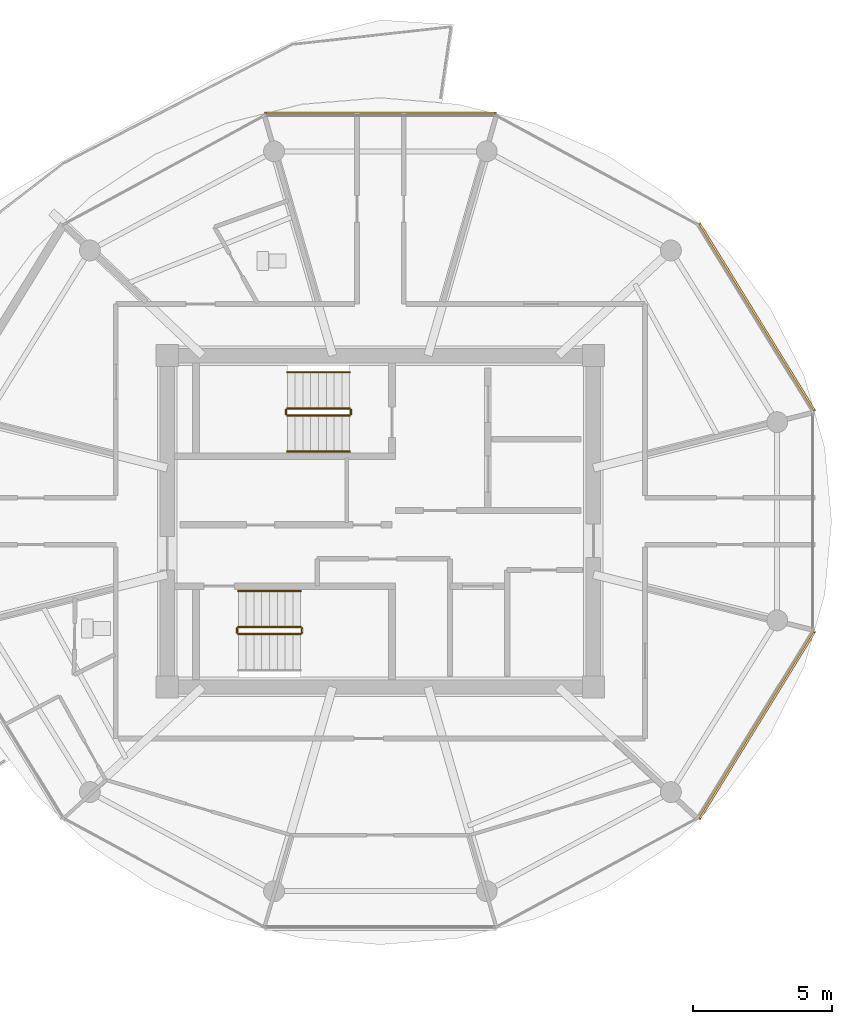
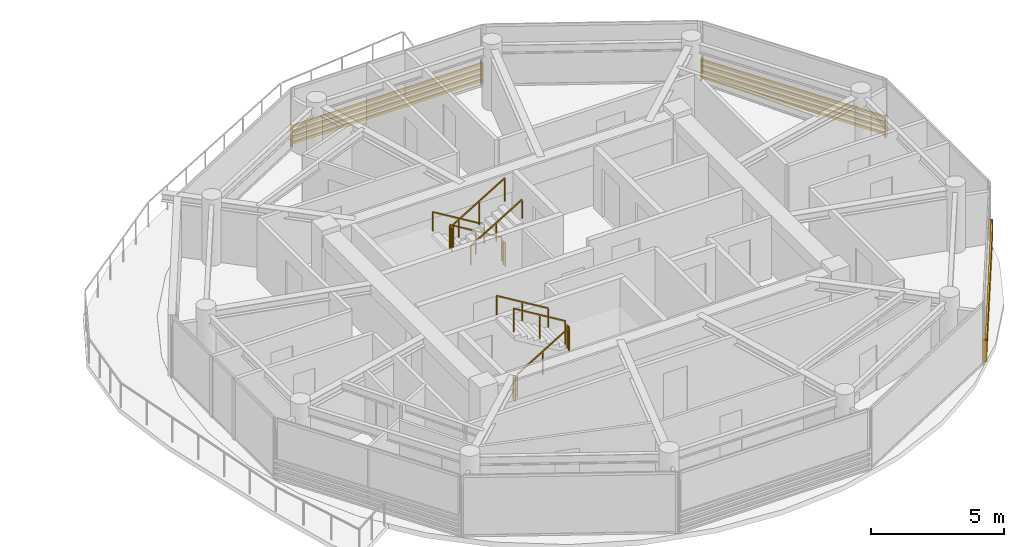
# One storey, part 18 of 19: 11 railings, 3 shading devices.
"""IFC4 building model written with IfcOpenShell, lengths in metres."""

import ifcopenshell
import ifcopenshell.guid

model = None  # the IFC model being written
_history = None  # IfcOwnerHistory: only IFC2X3 demands one
_inside = {}  # id of a spatial element -> (the spatial element, [elements in it])
_under = {}  # id of a project, library or spatial element -> (it, [spatial elements below it])
_declared = {}  # id of a project -> (the project, [libraries it declares])
_typed = {}  # id of a type object -> (the type object, [elements of that type])
_made_of = {}  # id of a material, layer set ... -> (it, [elements and type objects made of it])


def new_model(schema):
    """Start an empty IFC model of exactly this schema.

    Asked for "IFC4X3", IfcOpenShell would pick the latest addendum, in which some entities
    have other attributes; the version numbers below select the first issue.
    IFC2X3 requires an IfcOwnerHistory on every rooted entity: one is made here for all.
    """
    global model, _history
    if schema == "IFC4X3":
        model = ifcopenshell.file(schema_version=(4, 3, 0, 0))
    else:
        model = ifcopenshell.file(schema=schema)
    _inside.clear()
    _under.clear()
    _declared.clear()
    _typed.clear()
    _made_of.clear()
    _history = None
    if model.schema == "IFC2X3":
        org = make("IfcOrganization", Name="unknown")
        user = make(
            "IfcPersonAndOrganization",
            ThePerson=make("IfcPerson", FamilyName="unknown"),
            TheOrganization=org,
        )
        app = make(
            "IfcApplication",
            ApplicationDeveloper=org,
            Version="unknown",
            ApplicationFullName="unknown",
            ApplicationIdentifier="unknown",
        )
        _history = make(
            "IfcOwnerHistory",
            OwningUser=user,
            OwningApplication=app,
            ChangeAction="ADDED",
            CreationDate=0,
        )
    return model


def make(cls, **values):
    """One entity of the class cls with the attributes given. An attribute that is None is left unset."""
    return model.create_entity(
        cls, **{name: value for name, value in values.items() if value is not None}
    )


def rooted(cls, **values):
    """An entity with a GlobalId (a new one), such as an element, a storey or a relation."""
    return make(cls, GlobalId=ifcopenshell.guid.new(), OwnerHistory=_history, **values)


def si_unit(unit_type, name, prefix=None):
    """IfcSIUnit, for example si_unit("LENGTHUNIT", "METRE", prefix="MILLI")."""
    return make("IfcSIUnit", UnitType=unit_type, Prefix=prefix, Name=name)


def assignment(units):
    """IfcUnitAssignment: the units of a project."""
    return None if units is None else make("IfcUnitAssignment", Units=units)


def point(xyz):
    """IfcCartesianPoint."""
    return None if xyz is None else make("IfcCartesianPoint", Coordinates=xyz)


def direction(xyz):
    """IfcDirection."""
    return None if xyz is None else make("IfcDirection", DirectionRatios=xyz)


def frame(location, z_axis=None, x_axis=None):
    """IfcAxis2Placement3D, a coordinate frame: its origin and axes. An axis left out is left unset."""
    return make(
        "IfcAxis2Placement3D",
        Location=point(location),
        Axis=direction(z_axis),
        RefDirection=direction(x_axis),
    )


def frame_2d(location, x_axis=None):
    """IfcAxis2Placement2D, a coordinate frame in the plane: its origin and x axis."""
    return make(
        "IfcAxis2Placement2D", Location=point(location), RefDirection=direction(x_axis)
    )


def origin():
    """The frame at (0, 0, 0) with its axes left unset."""
    return frame((0.0, 0.0, 0.0))


def origin_2d():
    """The frame at (0, 0) in the plane with its x axis left unset."""
    return frame_2d((0.0, 0.0))


def place(relative_to, where):
    """IfcLocalPlacement: puts the frame where relative to a parent placement (None: the world)."""
    return make(
        "IfcLocalPlacement", PlacementRelTo=relative_to, RelativePlacement=where
    )


def context(
    kind, dimensions, precision=None, world=None, true_north=None, identifier=None
):
    """IfcGeometricRepresentationContext, for example the 3D "Model" context."""
    return make(
        "IfcGeometricRepresentationContext",
        ContextIdentifier=identifier,
        ContextType=kind,
        CoordinateSpaceDimension=dimensions,
        Precision=precision,
        WorldCoordinateSystem=world,
        TrueNorth=true_north,
    )


def subcontext(parent, identifier, kind, view, scale=None):
    """IfcGeometricRepresentationSubContext, for example "Body" below "Model"."""
    return make(
        "IfcGeometricRepresentationSubContext",
        ContextIdentifier=identifier,
        ContextType=kind,
        ParentContext=parent,
        TargetScale=scale,
        TargetView=view,
    )


def project(units=None, contexts=None):
    """IfcProject with its units and contexts."""
    return rooted(
        "IfcProject",
        Name="project",
        RepresentationContexts=contexts,
        UnitsInContext=assignment(units),
    )


def spatial(cls, under=None, at=None, **own):
    """A site, building, storey or space (cls), placed at a placement, below another one or the project."""
    s = rooted(cls, ObjectPlacement=at, **own)
    if under is not None:
        _under.setdefault(under.id(), (under, []))[1].append(s)
    return s


def profile(cls, at=None, kind="AREA", **sizes):
    """A parametric profile (cls). Its sizes go by their IFC names, for example OverallWidth=200.0."""
    return make(cls, ProfileType=kind, Position=at, **sizes)


def rectangle(**sizes):
    """IfcRectangleProfileDef."""
    return profile("IfcRectangleProfileDef", **sizes)


def extrude(swept, where, along, depth):
    """IfcExtrudedAreaSolid: the profile swept, set in the frame where, extruded along a direction by depth."""
    return make(
        "IfcExtrudedAreaSolid",
        SweptArea=swept,
        Position=where,
        ExtrudedDirection=direction(along),
        Depth=depth,
    )


def shape(context_of_items, identifier, shape_type, items):
    """IfcShapeRepresentation: the items that make up one representation, for example the "Body"."""
    return make(
        "IfcShapeRepresentation",
        ContextOfItems=context_of_items,
        RepresentationIdentifier=identifier,
        RepresentationType=shape_type,
        Items=items,
    )


def source(mapping_origin, context_of_items, identifier, shape_type, items):
    """IfcRepresentationMap: a shape defined once, which mapped items show again and again."""
    return make(
        "IfcRepresentationMap",
        MappingOrigin=mapping_origin,
        MappedRepresentation=shape(context_of_items, identifier, shape_type, items),
    )


def transform(
    local_origin,
    x_axis=None,
    y_axis=None,
    z_axis=None,
    scale=None,
    scale2=None,
    scale3=None,
    uniform=True,
):
    """IfcCartesianTransformationOperator3D, or its non-uniform kind. x_axis, y_axis, z_axis: its Axis1, 2, 3."""
    if uniform:
        return make(
            "IfcCartesianTransformationOperator3D",
            Axis1=direction(x_axis),
            Axis2=direction(y_axis),
            LocalOrigin=point(local_origin),
            Scale=scale,
            Axis3=direction(z_axis),
        )
    return make(
        "IfcCartesianTransformationOperator3DnonUniform",
        Axis1=direction(x_axis),
        Axis2=direction(y_axis),
        LocalOrigin=point(local_origin),
        Scale=scale,
        Axis3=direction(z_axis),
        Scale2=scale2,
        Scale3=scale3,
    )


def mapped(mapping_source, mapping_target):
    """IfcMappedItem: shows the shape of a source again, moved by a transform."""
    return make(
        "IfcMappedItem", MappingSource=mapping_source, MappingTarget=mapping_target
    )


def material(Name=None, Category=None):
    """IfcMaterial."""
    return make("IfcMaterial", Name=Name, Category=Category)


def made_of(thing, what):
    """Note that an element or type object is made of a material, layer set ...; save() writes the relation."""
    if what is not None:
        _made_of.setdefault(what.id(), (what, []))[1].append(thing)
    return thing


def type_object(cls, material=None, **own):
    """A type object (cls), such as IfcWallType, which elements share."""
    return made_of(rooted(cls, **own), material)


def type_shapes(of_type, sources):
    """Give a type object the sources (RepresentationMaps) that its elements show as mapped items."""
    of_type.RepresentationMaps = sources


def element(
    cls,
    number,
    at=None,
    inside=None,
    cuts=None,
    type_object=None,
    material=None,
    context=None,
    identifier="Body",
    shape_type=None,
    held_by="IfcProductDefinitionShape",
    body=None,
    shapes=None,
    **own,
):
    """One element of the class cls, such as IfcWall. Its Tag is "e" and its number.

    at: its placement. inside: the storey or other place that contains it. cuts: it is an
    opening in that element (IfcRelVoidsElement). A single representation is given by context,
    identifier, shape_type and body (its items); several are given by shapes. held_by: the class
    of the entity that holds the representations. save() writes the other relations.
    """
    e = rooted(cls, Tag="e%d" % number, ObjectPlacement=at, **own)
    if body is not None:
        shapes = [shape(context, identifier, shape_type, body)]
    if shapes is not None:
        e.Representation = make(held_by, Representations=shapes)
    if inside is not None:
        _inside.setdefault(inside.id(), (inside, []))[1].append(e)
    if cuts is not None:
        rooted(
            "IfcRelVoidsElement", RelatingBuildingElement=cuts, RelatedOpeningElement=e
        )
    if type_object is not None:
        _typed.setdefault(type_object.id(), (type_object, []))[1].append(e)
    return made_of(e, material)


def aggregate(whole, parts):
    """IfcRelAggregates: a whole, such as a stair, and the parts it consists of."""
    return rooted("IfcRelAggregates", RelatingObject=whole, RelatedObjects=parts)


def save(model, path):
    """Write the relations noted so far, then the file.

    IfcRelAggregates (storeys below a building ...), IfcRelContainedInSpatialStructure (elements
    in a storey), IfcRelDefinesByType, IfcRelAssociatesMaterial and IfcRelDeclares: one each for
    every whole, place, type object, material and project.
    """
    for whole, parts in _under.values():
        aggregate(whole, parts)
    for where, things in _inside.values():
        rooted(
            "IfcRelContainedInSpatialStructure",
            RelatedElements=things,
            RelatingStructure=where,
        )
    for kind, things in _typed.values():
        rooted("IfcRelDefinesByType", RelatedObjects=things, RelatingType=kind)
    for what, things in _made_of.values():
        rooted("IfcRelAssociatesMaterial", RelatedObjects=things, RelatingMaterial=what)
    for by, libraries in _declared.values():
        rooted("IfcRelDeclares", RelatingContext=by, RelatedDefinitions=libraries)
    model.write(path)


model = new_model("IFC4")

# Units and contexts
model_context = context("Model", 3, precision=1e-05, world=origin(), true_north=direction((0.0, 1.0)))
body_context = subcontext(model_context, "Body", "Model", "MODEL_VIEW")
ifc_project = project(units=[si_unit("LENGTHUNIT", "METRE"), si_unit("AREAUNIT", "SQUARE_METRE"), si_unit("VOLUMEUNIT", "CUBIC_METRE"), si_unit("PLANEANGLEUNIT", "RADIAN"), si_unit("MASSUNIT", "GRAM", prefix="KILO")], contexts=[model_context])

# Site, building, storey
site_placement = place(None, origin())
site = spatial("IfcSite", under=ifc_project, at=site_placement, CompositionType="ELEMENT")
building_placement = place(site_placement, origin())
building = spatial("IfcBuilding", under=site, at=building_placement, Name="Norrkilde Senior Care Towers", CompositionType="ELEMENT")
storey_placement = place(building_placement, frame((0.0, 0.0, 193.699951171875)))
storey = spatial("IfcBuildingStorey", under=building, at=storey_placement, Name="L60", CompositionType="ELEMENT", Elevation=193.699951171875)

# Railings
ifc_material_1 = material(Name="Stainless Steel", Category="steel")
railing_type_1 = type_object("IfcRailingType", Name="Stair and Terrace Guardrail 1100", PredefinedType="GUARDRAIL", material=ifc_material_1)
railing_1_placement = place(storey_placement, frame((26.89990234375, 4.050048828125, 0.16943359375)))
element("IfcRailing", 1, at=railing_1_placement, inside=storey, type_object=railing_type_1, Name="L60 ST-E1 stair guard 1", PredefinedType="GUARDRAIL", context=body_context, shape_type="SweptSolid", body=[
    extrude(rectangle(XDim=0.048095703125, YDim=0.048095703125, at=origin_2d()), frame((0.0, 0.0, 1.076171875), z_axis=(-0.855512035549, 0.0, 0.517782924622), x_axis=(0.0, -1.0, 0.0)), (0.0, 0.0, 1.0), 2.618408203125),
    extrude(rectangle(XDim=0.0419921875, YDim=0.0419921875, at=origin_2d()), origin(), (0.0, 0.0, 1.0), 1.050048828125),
    extrude(rectangle(XDim=0.0419921875, YDim=0.0419921875, at=origin_2d()), frame((-1.1201171875, 0.0, 0.677734375)), (0.0, 0.0, 1.0), 1.050048828125),
    extrude(rectangle(XDim=0.0419921875, YDim=0.0419921875, at=origin_2d()), frame((-2.239990234375, 0.0, 1.355712890625)), (0.0, 0.0, 1.0), 1.050048828125),
])
railing_2_placement = place(storey_placement, frame((24.610107421875, 4.0, 1.525146484375)))
element("IfcRailing", 2, at=railing_2_placement, inside=storey, type_object=railing_type_1, Name="L60 ST-E1 stair guard 2", PredefinedType="GUARDRAIL", context=body_context, shape_type="SweptSolid", body=[
    extrude(rectangle(XDim=0.048095703125, YDim=0.048095703125, at=origin_2d()), frame((0.0, 0.0, 1.076171875), z_axis=(0.0, -1.0, 0.0), x_axis=(1.0, 0.0, 0.0)), (0.0, 0.0, 1.0), 0.14990234375),
    extrude(rectangle(XDim=0.0419921875, YDim=0.0419921875, at=origin_2d()), origin(), (0.0, 0.0, 1.0), 1.050048828125),
    extrude(rectangle(XDim=0.0419921875, YDim=0.0419921875, at=origin_2d()), frame((0.0, -0.14990234375, 0.0)), (0.0, 0.0, 1.0), 1.050048828125),
])
railing_3_placement = place(storey_placement, frame((24.659912109375, 3.800048828125, 1.694580078125)))
element("IfcRailing", 3, at=railing_3_placement, inside=storey, type_object=railing_type_1, Name="L60 ST-E1 stair guard 3", PredefinedType="GUARDRAIL", context=body_context, shape_type="SweptSolid", body=[
    extrude(rectangle(XDim=0.048095703125, YDim=0.048095703125, at=origin_2d()), frame((0.0, 0.0, 1.076171875), z_axis=(0.855553338991, 0.0, 0.51771467445), x_axis=(0.0, 1.0, 0.0)), (0.0, 0.0, 1.0), 2.6181640625),
    extrude(rectangle(XDim=0.0419921875, YDim=0.0419921875, at=origin_2d()), origin(), (0.0, 0.0, 1.0), 1.050048828125),
    extrude(rectangle(XDim=0.0419921875, YDim=0.0419921875, at=origin_2d()), frame((1.1201171875, 0.0, 0.677734375)), (0.0, 0.0, 1.0), 1.050048828125),
    extrude(rectangle(XDim=0.0419921875, YDim=0.0419921875, at=origin_2d()), frame((2.239990234375, 0.0, 1.35546875)), (0.0, 0.0, 1.0), 1.050048828125),
])
railing_4_placement = place(storey_placement, frame((26.949951171875, 4.0, 0.0)))
element("IfcRailing", 4, at=railing_4_placement, inside=storey, type_object=railing_type_1, Name="L60 ST-E1 stair guard 4", PredefinedType="GUARDRAIL", context=body_context, shape_type="SweptSolid", body=[
    extrude(rectangle(XDim=0.048095703125, YDim=0.048095703125, at=origin_2d()), frame((0.0, 0.0, 1.076171875), z_axis=(0.0, -1.0, 0.0), x_axis=(1.0, 0.0, 0.0)), (0.0, 0.0, 1.0), 0.14990234375),
    extrude(rectangle(XDim=0.0419921875, YDim=0.0419921875, at=origin_2d()), origin(), (0.0, 0.0, 1.0), 1.050048828125),
    extrude(rectangle(XDim=0.0419921875, YDim=0.0419921875, at=origin_2d()), frame((0.0, -0.14990234375, 0.0)), (0.0, 0.0, 1.0), 1.050048828125),
])
railing_5_placement = place(storey_placement, frame((22.89990234375, -4.050048828125, 0.16943359375)))
element("IfcRailing", 5, at=railing_5_placement, inside=storey, type_object=railing_type_1, Name="L60 ST-E2 stair guard 1", PredefinedType="GUARDRAIL", context=body_context, shape_type="SweptSolid", body=[
    extrude(rectangle(XDim=0.048095703125, YDim=0.048095703125, at=origin_2d()), frame((0.0, 0.0, 1.076171875), z_axis=(0.855512035549, 0.0, 0.517782924622), x_axis=(0.0, 1.0, 0.0)), (0.0, 0.0, 1.0), 2.618408203125),
    extrude(rectangle(XDim=0.0419921875, YDim=0.0419921875, at=origin_2d()), origin(), (0.0, 0.0, 1.0), 1.050048828125),
    extrude(rectangle(XDim=0.0419921875, YDim=0.0419921875, at=origin_2d()), frame((1.1201171875, 0.0, 0.677734375)), (0.0, 0.0, 1.0), 1.050048828125),
    extrude(rectangle(XDim=0.0419921875, YDim=0.0419921875, at=origin_2d()), frame((2.239990234375, 0.0, 1.355712890625)), (0.0, 0.0, 1.0), 1.050048828125),
])
railing_6_placement = place(storey_placement, frame((25.18994140625, -4.0, 1.525146484375)))
element("IfcRailing", 6, at=railing_6_placement, inside=storey, type_object=railing_type_1, Name="L60 ST-E2 stair guard 2", PredefinedType="GUARDRAIL", context=body_context, shape_type="SweptSolid", body=[
    extrude(rectangle(XDim=0.048095703125, YDim=0.048095703125, at=origin_2d()), frame((0.0, 0.0, 1.076171875), z_axis=(0.0, 1.0, 0.0), x_axis=(-1.0, 0.0, 0.0)), (0.0, 0.0, 1.0), 0.14990234375),
    extrude(rectangle(XDim=0.0419921875, YDim=0.0419921875, at=origin_2d()), origin(), (0.0, 0.0, 1.0), 1.050048828125),
    extrude(rectangle(XDim=0.0419921875, YDim=0.0419921875, at=origin_2d()), frame((0.0, 0.14990234375, 0.0)), (0.0, 0.0, 1.0), 1.050048828125),
])
railing_7_placement = place(storey_placement, frame((25.139892578125, -3.800048828125, 1.694580078125)))
element("IfcRailing", 7, at=railing_7_placement, inside=storey, type_object=railing_type_1, Name="L60 ST-E2 stair guard 3", PredefinedType="GUARDRAIL", context=body_context, shape_type="SweptSolid", body=[
    extrude(rectangle(XDim=0.048095703125, YDim=0.048095703125, at=origin_2d()), frame((0.0, 0.0, 1.076171875), z_axis=(-0.855553338991, 0.0, 0.51771467445), x_axis=(0.0, -1.0, 0.0)), (0.0, 0.0, 1.0), 2.6181640625),
    extrude(rectangle(XDim=0.0419921875, YDim=0.0419921875, at=origin_2d()), origin(), (0.0, 0.0, 1.0), 1.050048828125),
    extrude(rectangle(XDim=0.0419921875, YDim=0.0419921875, at=origin_2d()), frame((-1.1201171875, 0.0, 0.677734375)), (0.0, 0.0, 1.0), 1.050048828125),
    extrude(rectangle(XDim=0.0419921875, YDim=0.0419921875, at=origin_2d()), frame((-2.239990234375, 0.0, 1.35546875)), (0.0, 0.0, 1.0), 1.050048828125),
])
railing_8_placement = place(storey_placement, frame((22.85009765625, -4.0, 0.0)))
element("IfcRailing", 8, at=railing_8_placement, inside=storey, type_object=railing_type_1, Name="L60 ST-E2 stair guard 4", PredefinedType="GUARDRAIL", context=body_context, shape_type="SweptSolid", body=[
    extrude(rectangle(XDim=0.048095703125, YDim=0.048095703125, at=origin_2d()), frame((0.0, 0.0, 1.076171875), z_axis=(0.0, 1.0, 0.0), x_axis=(-1.0, 0.0, 0.0)), (0.0, 0.0, 1.0), 0.14990234375),
    extrude(rectangle(XDim=0.0419921875, YDim=0.0419921875, at=origin_2d()), origin(), (0.0, 0.0, 1.0), 1.050048828125),
    extrude(rectangle(XDim=0.0419921875, YDim=0.0419921875, at=origin_2d()), frame((0.0, 0.14990234375, 0.0)), (0.0, 0.0, 1.0), 1.050048828125),
])
ifc_material_2 = material(Name="Nordic Ash Timber", Category="wood")
railing_type_2 = type_object("IfcRailingType", Name="Wall and Stair Handrail 900", PredefinedType="HANDRAIL", material=ifc_material_2)
railing_9_placement = place(storey_placement, frame((26.89990234375, 5.35009765625, 0.16943359375)))
element("IfcRailing", 9, at=railing_9_placement, inside=storey, type_object=railing_type_2, Name="L60 ST-E1 stair handrail 1", PredefinedType="HANDRAIL", context=body_context, shape_type="SweptSolid", body=[
    extrude(rectangle(XDim=0.048095703125, YDim=0.048095703125, at=origin_2d()), frame((0.0, 0.0, 0.8759765625), z_axis=(-0.855512035549, 0.0, 0.517782924622), x_axis=(0.0, -1.0, 0.0)), (0.0, 0.0, 1.0), 2.618408203125),
    extrude(rectangle(XDim=0.0419921875, YDim=0.0419921875, at=origin_2d()), origin(), (0.0, 0.0, 1.0), 0.849853515625),
    extrude(rectangle(XDim=0.0419921875, YDim=0.0419921875, at=origin_2d()), frame((-1.1201171875, 0.0, 0.677734375)), (0.0, 0.0, 1.0), 0.849853515625),
    extrude(rectangle(XDim=0.0419921875, YDim=0.0419921875, at=origin_2d()), frame((-2.239990234375, 0.0, 1.355712890625)), (0.0, 0.0, 1.0), 0.849853515625),
])
railing_10_placement = place(storey_placement, frame((24.659912109375, 2.5, 1.694580078125)))
element("IfcRailing", 10, at=railing_10_placement, inside=storey, type_object=railing_type_2, Name="L60 ST-E1 stair handrail 2", PredefinedType="HANDRAIL", context=body_context, shape_type="SweptSolid", body=[
    extrude(rectangle(XDim=0.048095703125, YDim=0.048095703125, at=origin_2d()), frame((0.0, 0.0, 0.8759765625), z_axis=(0.855553338991, 0.0, 0.51771467445), x_axis=(0.0, 1.0, 0.0)), (0.0, 0.0, 1.0), 2.6181640625),
    extrude(rectangle(XDim=0.0419921875, YDim=0.0419921875, at=origin_2d()), origin(), (0.0, 0.0, 1.0), 0.849853515625),
    extrude(rectangle(XDim=0.0419921875, YDim=0.0419921875, at=origin_2d()), frame((1.1201171875, 0.0, 0.677734375)), (0.0, 0.0, 1.0), 0.849853515625),
    extrude(rectangle(XDim=0.0419921875, YDim=0.0419921875, at=origin_2d()), frame((2.239990234375, 0.0, 1.35546875)), (0.0, 0.0, 1.0), 0.849853515625),
])
railing_11_placement = place(storey_placement, frame((25.139892578125, -2.5, 1.694580078125)))
element("IfcRailing", 11, at=railing_11_placement, inside=storey, type_object=railing_type_2, Name="L60 ST-E2 stair handrail 2", PredefinedType="HANDRAIL", context=body_context, shape_type="SweptSolid", body=[
    extrude(rectangle(XDim=0.048095703125, YDim=0.048095703125, at=origin_2d()), frame((0.0, 0.0, 0.8759765625), z_axis=(-0.855553338991, 0.0, 0.51771467445), x_axis=(0.0, -1.0, 0.0)), (0.0, 0.0, 1.0), 2.6181640625),
    extrude(rectangle(XDim=0.0419921875, YDim=0.0419921875, at=origin_2d()), origin(), (0.0, 0.0, 1.0), 0.849853515625),
    extrude(rectangle(XDim=0.0419921875, YDim=0.0419921875, at=origin_2d()), frame((-1.1201171875, 0.0, 0.677734375)), (0.0, 0.0, 1.0), 0.849853515625),
    extrude(rectangle(XDim=0.0419921875, YDim=0.0419921875, at=origin_2d()), frame((-2.239990234375, 0.0, 1.35546875)), (0.0, 0.0, 1.0), 0.849853515625),
])

# Shading devices
ifc_material_3 = material(Name="Architectural Terracotta", Category="masonry")
shading_device_type = type_object("IfcShadingDeviceType", Name="Horizontal Terracotta Baguette Rack", PredefinedType="USERDEFINED", material=ifc_material_3)
shared_shape_1 = source(origin(), body_context, "Body", "SweptSolid", [
    extrude(rectangle(XDim=0.070068359375, YDim=0.110107421875, at=origin_2d()), frame((0.0, 0.090087890625, 0.125), z_axis=(1.0, 0.0, 0.0), x_axis=(0.0, 1.0, 0.0)), (0.0, 0.0, 1.0), 7.938232421875),
    extrude(rectangle(XDim=0.070068359375, YDim=0.110107421875, at=origin_2d()), frame((0.0, 0.090087890625, 0.375), z_axis=(1.0, 0.0, 0.0), x_axis=(0.0, 1.0, 0.0)), (0.0, 0.0, 1.0), 7.938232421875),
    extrude(rectangle(XDim=0.070068359375, YDim=0.110107421875, at=origin_2d()), frame((0.0, 0.090087890625, 0.625), z_axis=(1.0, 0.0, 0.0), x_axis=(0.0, 1.0, 0.0)), (0.0, 0.0, 1.0), 7.938232421875),
    extrude(rectangle(XDim=0.070068359375, YDim=0.110107421875, at=origin_2d()), frame((0.0, 0.090087890625, 0.875), z_axis=(1.0, 0.0, 0.0), x_axis=(0.0, 1.0, 0.0)), (0.0, 0.0, 1.0), 7.938232421875),
    extrude(rectangle(XDim=0.050048828125, YDim=0.1552734375, at=origin_2d()), frame((0.02490234375, 0.047607421875, 0.0)), (0.0, 0.0, 1.0), 1.0),
    extrude(rectangle(XDim=0.050048828125, YDim=0.1552734375, at=origin_2d()), frame((7.9130859375, 0.047607421875, 0.0)), (0.0, 0.0, 1.0), 1.0),
])
for number, where, z_axis, x_axis, name in (
    (12, (39.370361328125, 10.6630859375, 0.080078125), (0.0, 0.0, 1.0), (0.524250345994, -0.851576195602, 0.0), "L60 Drum E Terracotta Baguette Screen 00"),
    (13, (43.531982421875, -3.903076171875, 0.080078125), (0.0, 0.0, 1.0), (-0.524250345994, -0.851576195602, 0.0), "L60 Drum E Terracotta Baguette Screen 10"),
):
    element("IfcShadingDevice", number, at=place(storey_placement, frame(where, z_axis=z_axis, x_axis=x_axis)), inside=storey, type_object=shading_device_type, Name=name, ObjectType="BAGUETTE", PredefinedType="USERDEFINED", context=body_context, shape_type="MappedRepresentation", body=[
        mapped(shared_shape_1, transform((0.0, 0.0, 0.0), x_axis=(1.0, 0.0, 0.0), y_axis=(0.0, 1.0, 0.0), z_axis=(0.0, 0.0, 1.0), scale=1.0)),
    ])
shared_shape_2 = source(origin(), body_context, "Body", "SweptSolid", [
    extrude(rectangle(XDim=0.070068359375, YDim=0.110107421875, at=origin_2d()), frame((0.0, 0.090087890625, 0.125), z_axis=(1.0, 0.0, 0.0), x_axis=(0.0, 1.0, 0.0)), (0.0, 0.0, 1.0), 8.32373046875),
    extrude(rectangle(XDim=0.070068359375, YDim=0.110107421875, at=origin_2d()), frame((0.0, 0.090087890625, 0.375), z_axis=(1.0, 0.0, 0.0), x_axis=(0.0, 1.0, 0.0)), (0.0, 0.0, 1.0), 8.32373046875),
    extrude(rectangle(XDim=0.070068359375, YDim=0.110107421875, at=origin_2d()), frame((0.0, 0.090087890625, 0.625), z_axis=(1.0, 0.0, 0.0), x_axis=(0.0, 1.0, 0.0)), (0.0, 0.0, 1.0), 8.32373046875),
    extrude(rectangle(XDim=0.070068359375, YDim=0.110107421875, at=origin_2d()), frame((0.0, 0.090087890625, 0.875), z_axis=(1.0, 0.0, 0.0), x_axis=(0.0, 1.0, 0.0)), (0.0, 0.0, 1.0), 8.32373046875),
    extrude(rectangle(XDim=0.050048828125, YDim=0.1552734375, at=origin_2d()), frame((0.02490234375, 0.047607421875, 0.0)), (0.0, 0.0, 1.0), 1.0),
    extrude(rectangle(XDim=0.050048828125, YDim=0.1552734375, at=origin_2d()), frame((8.298828125, 0.047607421875, 0.0)), (0.0, 0.0, 1.0), 1.0),
])
type_shapes(shading_device_type, [shared_shape_1, shared_shape_2])
shading_device_placement = place(storey_placement, frame((23.838134765625, 14.566162109375, 0.080078125), z_axis=(0.0, 0.0, 1.0), x_axis=(1.0, 0.0, 0.0)))
element("IfcShadingDevice", 14, at=shading_device_placement, inside=storey, type_object=shading_device_type, Name="L60 Drum E Terracotta Baguette Screen 02", ObjectType="BAGUETTE", PredefinedType="USERDEFINED", context=body_context, shape_type="MappedRepresentation", body=[
    mapped(shared_shape_2, transform((0.0, 0.0, 0.0), x_axis=(1.0, 0.0, 0.0), y_axis=(0.0, 1.0, 0.0), z_axis=(0.0, 0.0, 1.0), scale=1.0)),
])

save(model, "model.ifc")
